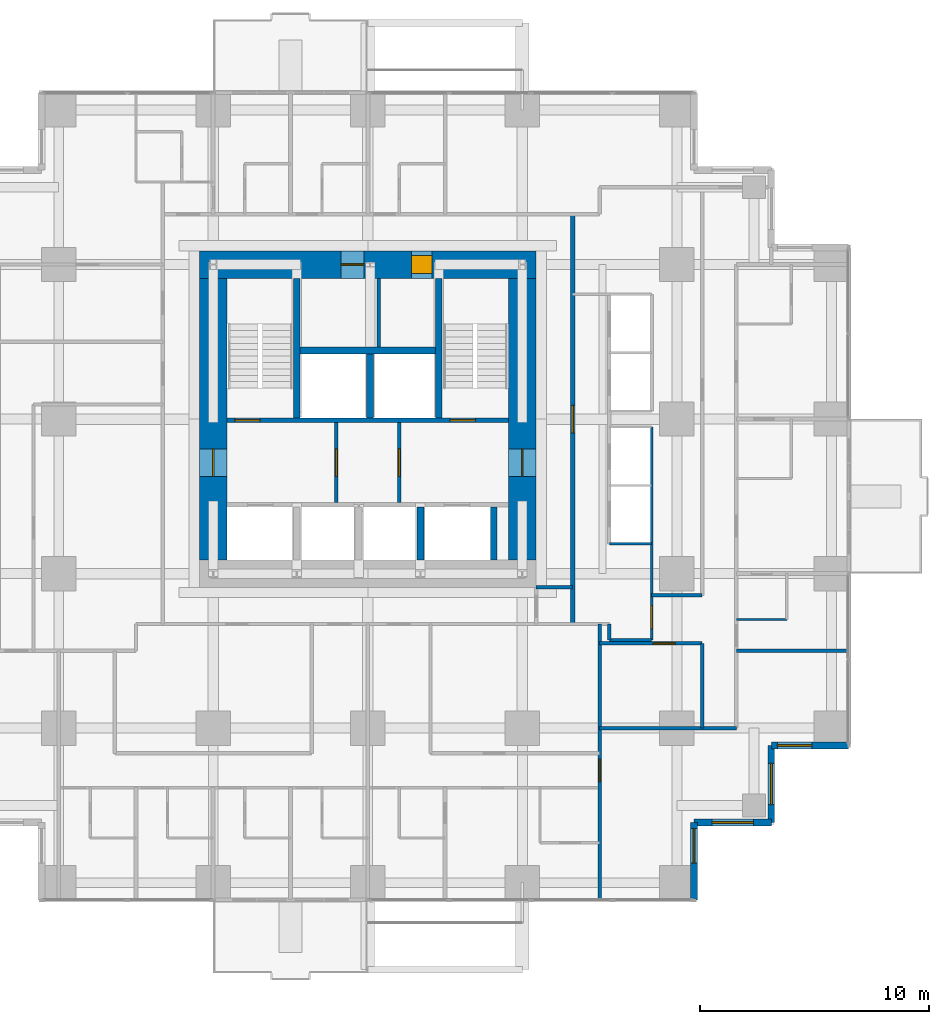
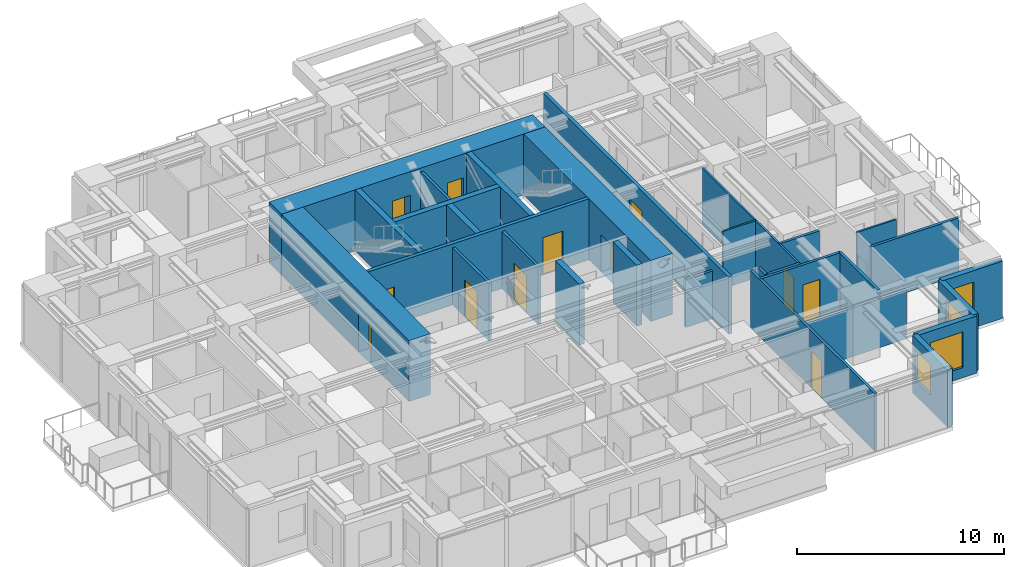
# One storey, part 9 of 13: 30 walls, 12 doors, 4 windows, 16 openings.
"""IFC4 building model written with IfcOpenShell, lengths in metres."""

import ifcopenshell
import ifcopenshell.guid

model = None  # the IFC model being written
_history = None  # IfcOwnerHistory: only IFC2X3 demands one
_inside = {}  # id of a spatial element -> (the spatial element, [elements in it])
_under = {}  # id of a project, library or spatial element -> (it, [spatial elements below it])
_declared = {}  # id of a project -> (the project, [libraries it declares])
_typed = {}  # id of a type object -> (the type object, [elements of that type])
_made_of = {}  # id of a material, layer set ... -> (it, [elements and type objects made of it])


def new_model(schema):
    """Start an empty IFC model of exactly this schema.

    Asked for "IFC4X3", IfcOpenShell would pick the latest addendum, in which some entities
    have other attributes; the version numbers below select the first issue.
    IFC2X3 requires an IfcOwnerHistory on every rooted entity: one is made here for all.
    """
    global model, _history
    if schema == "IFC4X3":
        model = ifcopenshell.file(schema_version=(4, 3, 0, 0))
    else:
        model = ifcopenshell.file(schema=schema)
    _inside.clear()
    _under.clear()
    _declared.clear()
    _typed.clear()
    _made_of.clear()
    _history = None
    if model.schema == "IFC2X3":
        org = make("IfcOrganization", Name="unknown")
        user = make(
            "IfcPersonAndOrganization",
            ThePerson=make("IfcPerson", FamilyName="unknown"),
            TheOrganization=org,
        )
        app = make(
            "IfcApplication",
            ApplicationDeveloper=org,
            Version="unknown",
            ApplicationFullName="unknown",
            ApplicationIdentifier="unknown",
        )
        _history = make(
            "IfcOwnerHistory",
            OwningUser=user,
            OwningApplication=app,
            ChangeAction="ADDED",
            CreationDate=0,
        )
    return model


def make(cls, **values):
    """One entity of the class cls with the attributes given. An attribute that is None is left unset."""
    return model.create_entity(
        cls, **{name: value for name, value in values.items() if value is not None}
    )


def rooted(cls, **values):
    """An entity with a GlobalId (a new one), such as an element, a storey or a relation."""
    return make(cls, GlobalId=ifcopenshell.guid.new(), OwnerHistory=_history, **values)


def si_unit(unit_type, name, prefix=None):
    """IfcSIUnit, for example si_unit("LENGTHUNIT", "METRE", prefix="MILLI")."""
    return make("IfcSIUnit", UnitType=unit_type, Prefix=prefix, Name=name)


def assignment(units):
    """IfcUnitAssignment: the units of a project."""
    return None if units is None else make("IfcUnitAssignment", Units=units)


def point(xyz):
    """IfcCartesianPoint."""
    return None if xyz is None else make("IfcCartesianPoint", Coordinates=xyz)


def direction(xyz):
    """IfcDirection."""
    return None if xyz is None else make("IfcDirection", DirectionRatios=xyz)


def frame(location, z_axis=None, x_axis=None):
    """IfcAxis2Placement3D, a coordinate frame: its origin and axes. An axis left out is left unset."""
    return make(
        "IfcAxis2Placement3D",
        Location=point(location),
        Axis=direction(z_axis),
        RefDirection=direction(x_axis),
    )


def frame_2d(location, x_axis=None):
    """IfcAxis2Placement2D, a coordinate frame in the plane: its origin and x axis."""
    return make(
        "IfcAxis2Placement2D", Location=point(location), RefDirection=direction(x_axis)
    )


def origin():
    """The frame at (0, 0, 0) with its axes left unset."""
    return frame((0.0, 0.0, 0.0))


def place(relative_to, where):
    """IfcLocalPlacement: puts the frame where relative to a parent placement (None: the world)."""
    return make(
        "IfcLocalPlacement", PlacementRelTo=relative_to, RelativePlacement=where
    )


def context(
    kind, dimensions, precision=None, world=None, true_north=None, identifier=None
):
    """IfcGeometricRepresentationContext, for example the 3D "Model" context."""
    return make(
        "IfcGeometricRepresentationContext",
        ContextIdentifier=identifier,
        ContextType=kind,
        CoordinateSpaceDimension=dimensions,
        Precision=precision,
        WorldCoordinateSystem=world,
        TrueNorth=true_north,
    )


def subcontext(parent, identifier, kind, view, scale=None):
    """IfcGeometricRepresentationSubContext, for example "Body" below "Model"."""
    return make(
        "IfcGeometricRepresentationSubContext",
        ContextIdentifier=identifier,
        ContextType=kind,
        ParentContext=parent,
        TargetScale=scale,
        TargetView=view,
    )


def project(units=None, contexts=None):
    """IfcProject with its units and contexts."""
    return rooted(
        "IfcProject",
        Name="project",
        RepresentationContexts=contexts,
        UnitsInContext=assignment(units),
    )


def spatial(cls, under=None, at=None, **own):
    """A site, building, storey or space (cls), placed at a placement, below another one or the project."""
    s = rooted(cls, ObjectPlacement=at, **own)
    if under is not None:
        _under.setdefault(under.id(), (under, []))[1].append(s)
    return s


def profile(cls, at=None, kind="AREA", **sizes):
    """A parametric profile (cls). Its sizes go by their IFC names, for example OverallWidth=200.0."""
    return make(cls, ProfileType=kind, Position=at, **sizes)


def rectangle(**sizes):
    """IfcRectangleProfileDef."""
    return profile("IfcRectangleProfileDef", **sizes)


def extrude(swept, where, along, depth):
    """IfcExtrudedAreaSolid: the profile swept, set in the frame where, extruded along a direction by depth."""
    return make(
        "IfcExtrudedAreaSolid",
        SweptArea=swept,
        Position=where,
        ExtrudedDirection=direction(along),
        Depth=depth,
    )


def shape(context_of_items, identifier, shape_type, items):
    """IfcShapeRepresentation: the items that make up one representation, for example the "Body"."""
    return make(
        "IfcShapeRepresentation",
        ContextOfItems=context_of_items,
        RepresentationIdentifier=identifier,
        RepresentationType=shape_type,
        Items=items,
    )


def material(Name=None, Category=None):
    """IfcMaterial."""
    return make("IfcMaterial", Name=Name, Category=Category)


def layer(
    of_material, thickness, ventilated=None, Name=None, Category=None, Priority=None
):
    """IfcMaterialLayer: one layer of a wall or slab, of a material (None: an air gap)."""
    return make(
        "IfcMaterialLayer",
        Material=of_material,
        LayerThickness=thickness,
        IsVentilated=ventilated,
        Name=Name,
        Category=Category,
        Priority=Priority,
    )


def layer_set(layers, Name=None):
    """IfcMaterialLayerSet."""
    return make("IfcMaterialLayerSet", MaterialLayers=layers, LayerSetName=Name)


def made_of(thing, what):
    """Note that an element or type object is made of a material, layer set ...; save() writes the relation."""
    if what is not None:
        _made_of.setdefault(what.id(), (what, []))[1].append(thing)
    return thing


def type_object(cls, material=None, **own):
    """A type object (cls), such as IfcWallType, which elements share."""
    return made_of(rooted(cls, **own), material)


def element(
    cls,
    number,
    at=None,
    inside=None,
    cuts=None,
    type_object=None,
    material=None,
    context=None,
    identifier="Body",
    shape_type=None,
    held_by="IfcProductDefinitionShape",
    body=None,
    shapes=None,
    **own,
):
    """One element of the class cls, such as IfcWall. Its Tag is "e" and its number.

    at: its placement. inside: the storey or other place that contains it. cuts: it is an
    opening in that element (IfcRelVoidsElement). A single representation is given by context,
    identifier, shape_type and body (its items); several are given by shapes. held_by: the class
    of the entity that holds the representations. save() writes the other relations.
    """
    e = rooted(cls, Tag="e%d" % number, ObjectPlacement=at, **own)
    if body is not None:
        shapes = [shape(context, identifier, shape_type, body)]
    if shapes is not None:
        e.Representation = make(held_by, Representations=shapes)
    if inside is not None:
        _inside.setdefault(inside.id(), (inside, []))[1].append(e)
    if cuts is not None:
        rooted(
            "IfcRelVoidsElement", RelatingBuildingElement=cuts, RelatedOpeningElement=e
        )
    if type_object is not None:
        _typed.setdefault(type_object.id(), (type_object, []))[1].append(e)
    return made_of(e, material)


def fill(opening, filler):
    """IfcRelFillsElement: the door or window that sits in an opening."""
    return rooted(
        "IfcRelFillsElement",
        RelatingOpeningElement=opening,
        RelatedBuildingElement=filler,
    )


def aggregate(whole, parts):
    """IfcRelAggregates: a whole, such as a stair, and the parts it consists of."""
    return rooted("IfcRelAggregates", RelatingObject=whole, RelatedObjects=parts)


def save(model, path):
    """Write the relations noted so far, then the file.

    IfcRelAggregates (storeys below a building ...), IfcRelContainedInSpatialStructure (elements
    in a storey), IfcRelDefinesByType, IfcRelAssociatesMaterial and IfcRelDeclares: one each for
    every whole, place, type object, material and project.
    """
    for whole, parts in _under.values():
        aggregate(whole, parts)
    for where, things in _inside.values():
        rooted(
            "IfcRelContainedInSpatialStructure",
            RelatedElements=things,
            RelatingStructure=where,
        )
    for kind, things in _typed.values():
        rooted("IfcRelDefinesByType", RelatedObjects=things, RelatingType=kind)
    for what, things in _made_of.values():
        rooted("IfcRelAssociatesMaterial", RelatedObjects=things, RelatingMaterial=what)
    for by, libraries in _declared.values():
        rooted("IfcRelDeclares", RelatingContext=by, RelatedDefinitions=libraries)
    model.write(path)


model = new_model("IFC4")

# Units and contexts
model_context = context("Model", 3, precision=1e-05, world=origin(), true_north=direction((0.0, 1.0)))
body_context = subcontext(model_context, "Body", "Model", "MODEL_VIEW")
ifc_project = project(units=[si_unit("LENGTHUNIT", "METRE"), si_unit("AREAUNIT", "SQUARE_METRE"), si_unit("VOLUMEUNIT", "CUBIC_METRE"), si_unit("PLANEANGLEUNIT", "RADIAN"), si_unit("MASSUNIT", "GRAM", prefix="KILO")], contexts=[model_context])

# Site, building, storey
site_placement = place(None, origin())
site = spatial("IfcSite", under=ifc_project, at=site_placement, CompositionType="ELEMENT")
building_placement = place(site_placement, origin())
building = spatial("IfcBuilding", under=site, at=building_placement, Name="Nyansa Garden Tower", CompositionType="ELEMENT")
storey_placement = place(building_placement, frame((0.0, 0.0, 116.10009765625)))
storey = spatial("IfcBuildingStorey", under=building, at=storey_placement, Name="L31", CompositionType="ELEMENT", Elevation=116.10009765625)

# Wall, openings, doors
ifc_material_1 = material(Name="Concrete C70/85", Category="concrete")
ifc_layer_1 = layer(ifc_material_1, 0.199951171875)
ifc_layer_set_1 = layer_set([ifc_layer_1], Name="Core inner wall CI200")
wall_type_1 = type_object("IfcWallType", Name="Core inner wall CI200", PredefinedType="SHEAR", material=ifc_layer_set_1)
wall_1_placement = place(storey_placement, frame((14.10009765625, 20.199951171875, 0.0), z_axis=(0.0, 0.0, 1.0), x_axis=(1.0, 0.0, 0.0)))
wall_1 = element("IfcWall", 1, at=wall_1_placement, inside=storey, type_object=wall_type_1, Name="Core inner wall L31", PredefinedType="SHEAR", context=body_context, shape_type="SweptSolid", body=[
    extrude(rectangle(XDim=12.2998046875, YDim=0.199951171875, at=frame_2d((6.14990234375, 0.0))), origin(), (0.0, 0.0, 1.0), 3.599853515625),
])
opening_1_placement = place(wall_1_placement, frame((0.35009765625, 0.0, 0.0)))
opening_1 = element("IfcOpeningElement", 2, at=opening_1_placement, cuts=wall_1, Name="Opening D05", PredefinedType="OPENING", context=body_context, shape_type="SweptSolid", body=[
    extrude(rectangle(XDim=1.10009765625, YDim=2.199951171875, at=frame_2d((0.550048828125, 1.10009765625))), frame((0.0, 0.10986328125, 0.0), z_axis=(0.0, -1.0, 0.0), x_axis=(1.0, 0.0, 0.0)), (0.0, 0.0, 1.0), 0.219970703125),
])
opening_2_placement = place(wall_1_placement, frame((9.75, 0.0, 0.0)))
opening_2 = element("IfcOpeningElement", 3, at=opening_2_placement, cuts=wall_1, Name="Opening D05", PredefinedType="OPENING", context=body_context, shape_type="SweptSolid", body=[
    extrude(rectangle(XDim=1.10009765625, YDim=2.199951171875, at=frame_2d((0.550048828125, 1.10009765625))), frame((0.0, 0.10986328125, 0.0), z_axis=(0.0, -1.0, 0.0), x_axis=(1.0, 0.0, 0.0)), (0.0, 0.0, 1.0), 0.219970703125),
])
ifc_material_2 = material(Name="Steel door, 120 minute fire resisting", Category="steel")
door_type_1 = type_object("IfcDoorType", Name="Stair door D05 1100x2200", OperationType="SINGLE_SWING_LEFT", PredefinedType="DOOR", material=ifc_material_2)
door_1_placement = place(opening_1_placement, origin())
door_1 = element("IfcDoor", 4, at=door_1_placement, inside=storey, type_object=door_type_1, Name="Stair S1 door", OperationType="SINGLE_SWING_LEFT", OverallHeight=2.199951171875, OverallWidth=1.10009765625, PredefinedType="DOOR", context=body_context, shape_type="SweptSolid", body=[
    extrude(rectangle(XDim=1.10009765625, YDim=2.199951171875, at=frame_2d((0.550048828125, 1.10009765625))), frame((0.0, 0.02490234375, 0.0), z_axis=(0.0, -1.0, 0.0), x_axis=(1.0, 0.0, 0.0)), (0.0, 0.0, 1.0), 0.050048828125),
])
fill(opening_1, door_1)
door_2_placement = place(opening_2_placement, origin())
door_2 = element("IfcDoor", 5, at=door_2_placement, inside=storey, type_object=door_type_1, Name="Stair S2 door", OperationType="SINGLE_SWING_LEFT", OverallHeight=2.199951171875, OverallWidth=1.10009765625, PredefinedType="DOOR", context=body_context, shape_type="SweptSolid", body=[
    extrude(rectangle(XDim=1.10009765625, YDim=2.199951171875, at=frame_2d((0.550048828125, 1.10009765625))), frame((0.0, 0.02490234375, 0.0), z_axis=(0.0, -1.0, 0.0), x_axis=(1.0, 0.0, 0.0)), (0.0, 0.0, 1.0), 0.050048828125),
])
fill(opening_2, door_2)

# Walls
ifc_material_3 = material(Name="Concrete C70/85", Category="concrete")
ifc_layer_2 = layer(ifc_material_3, 0.300048828125)
ifc_layer_set_2 = layer_set([ifc_layer_2], Name="Core inner wall CI300")
wall_type_2 = type_object("IfcWallType", Name="Core inner wall CI300", PredefinedType="SHEAR", material=ifc_layer_set_2)
for number, where, z_axis, x_axis, name in (
    (6, (17.14990234375, 20.300048828125, 0.0), (0.0, 0.0, 1.0), (0.0, 1.0, 0.0), "Core inner wall L31"),
    (7, (23.35009765625, 20.300048828125, 0.0), (0.0, 0.0, 1.0), (0.0, 1.0, 0.0), "Core inner wall L31"),
):
    element("IfcWall", number, at=place(storey_placement, frame(where, z_axis=z_axis, x_axis=x_axis)), inside=storey, type_object=wall_type_2, Name=name, PredefinedType="SHEAR", context=body_context, shape_type="SweptSolid", body=[
        extrude(rectangle(XDim=6.099853515625, YDim=0.300048828125, at=frame_2d((3.0498046875, 0.0))), origin(), (0.0, 0.0, 1.0), 3.599853515625),
    ])
wall_2_placement = place(storey_placement, frame((20.35009765625, 20.300048828125, 0.0), z_axis=(0.0, 0.0, 1.0), x_axis=(0.0, 1.0, 0.0)))
element("IfcWall", 8, at=wall_2_placement, inside=storey, type_object=wall_type_2, Name="Core inner wall L31", PredefinedType="SHEAR", context=body_context, shape_type="SweptSolid", body=[
    extrude(rectangle(XDim=2.800048828125, YDim=0.300048828125, at=frame_2d((1.39990234375, 0.0))), origin(), (0.0, 0.0, 1.0), 3.599853515625),
])
wall_3_placement = place(storey_placement, frame((17.300048828125, 23.25, 0.0), z_axis=(0.0, 0.0, 1.0), x_axis=(1.0, 0.0, 0.0)))
element("IfcWall", 9, at=wall_3_placement, inside=storey, type_object=wall_type_2, Name="Core inner wall L31", PredefinedType="SHEAR", context=body_context, shape_type="SweptSolid", body=[
    extrude(rectangle(XDim=5.89990234375, YDim=0.300048828125, at=frame_2d((2.949951171875, 0.0))), origin(), (0.0, 0.0, 1.0), 3.599853515625),
])
for number, where, z_axis, x_axis, name in (
    (10, (22.550048828125, 14.10009765625, 0.0), (0.0, 0.0, 1.0), (0.0, 1.0, 0.0), "Core inner wall L31"),
    (11, (25.75, 14.10009765625, 0.0), (0.0, 0.0, 1.0), (0.0, 1.0, 0.0), "Core inner wall L31"),
):
    element("IfcWall", number, at=place(storey_placement, frame(where, z_axis=z_axis, x_axis=x_axis)), inside=storey, type_object=wall_type_2, Name=name, PredefinedType="SHEAR", context=body_context, shape_type="SweptSolid", body=[
        extrude(rectangle(XDim=2.2998046875, YDim=0.300048828125, at=frame_2d((1.14990234375, 0.0))), origin(), (0.0, 0.0, 1.0), 3.599853515625),
    ])

# Wall, opening, door
ifc_material_4 = material(Name="Concrete C80/95", Category="concrete")
ifc_layer_3 = layer(ifc_material_4, 1.199951171875)
ifc_layer_set_3 = layer_set([ifc_layer_3], Name="Core wall CW1200")
wall_type_3 = type_object("IfcWallType", Name="Core wall CW1200", PredefinedType="SHEAR", material=ifc_layer_set_3)
wall_4_placement = place(storey_placement, frame((27.0, 14.10009765625, 0.0), z_axis=(0.0, 0.0, 1.0), x_axis=(0.0, 1.0, 0.0)))
wall_4 = element("IfcWall", 12, at=wall_4_placement, inside=storey, type_object=wall_type_3, Name="Core wall E L31", PredefinedType="SHEAR", context=body_context, shape_type="SweptSolid", body=[
    extrude(rectangle(XDim=12.2998046875, YDim=1.199951171875, at=frame_2d((6.14990234375, 0.0))), origin(), (0.0, 0.0, 1.0), 3.599853515625),
])
opening_3_placement = place(wall_4_placement, frame((3.64990234375, 0.0, 0.0)))
opening_3 = element("IfcOpeningElement", 13, at=opening_3_placement, cuts=wall_4, Name="Opening D06", PredefinedType="OPENING", context=body_context, shape_type="SweptSolid", body=[
    extrude(rectangle(XDim=1.199951171875, YDim=2.199951171875, at=frame_2d((0.60009765625, 1.10009765625))), frame((0.0, 0.60986328125, 0.0), z_axis=(0.0, -1.0, 0.0), x_axis=(1.0, 0.0, 0.0)), (0.0, 0.0, 1.0), 1.219970703125),
])
ifc_material_5 = material(Name="Steel door, 120 minute fire resisting", Category="steel")
door_type_2 = type_object("IfcDoorType", Name="Lobby door D06 1200x2200", OperationType="DOUBLE_DOOR_SINGLE_SWING", PredefinedType="DOOR", material=ifc_material_5)
door_3_placement = place(opening_3_placement, origin())
door_3 = element("IfcDoor", 14, at=door_3_placement, inside=storey, type_object=door_type_2, Name="Lift lobby door east", OperationType="DOUBLE_DOOR_SINGLE_SWING", OverallHeight=2.199951171875, OverallWidth=1.199951171875, PredefinedType="DOOR", context=body_context, shape_type="SweptSolid", body=[
    extrude(rectangle(XDim=1.199951171875, YDim=2.199951171875, at=frame_2d((0.60009765625, 1.10009765625))), frame((0.0, 0.02490234375, 0.0), z_axis=(0.0, -1.0, 0.0), x_axis=(1.0, 0.0, 0.0)), (0.0, 0.0, 1.0), 0.050048828125),
])
fill(opening_3, door_3)

# Wall, openings, doors
wall_5_placement = place(storey_placement, frame((27.60009765625, 27.0, 0.0), z_axis=(0.0, 0.0, 1.0), x_axis=(-1.0, 0.0, 0.0)))
wall_5 = element("IfcWall", 15, at=wall_5_placement, inside=storey, type_object=wall_type_3, Name="Core wall N L31", PredefinedType="SHEAR", context=body_context, shape_type="SweptSolid", body=[
    extrude(rectangle(XDim=14.7001953125, YDim=1.199951171875, at=frame_2d((7.35009765625, 0.0))), origin(), (0.0, 0.0, 1.0), 3.599853515625),
])
opening_4_placement = place(wall_5_placement, frame((4.550048828125, 0.0, 0.0)))
opening_4 = element("IfcOpeningElement", 16, at=opening_4_placement, cuts=wall_5, Name="Opening D15", PredefinedType="OPENING", context=body_context, shape_type="SweptSolid", body=[
    extrude(rectangle(XDim=0.89990234375, YDim=2.199951171875, at=frame_2d((0.449951171875, 1.10009765625))), frame((0.0, 0.60986328125, 0.0), z_axis=(0.0, -1.0, 0.0), x_axis=(1.0, 0.0, 0.0)), (0.0, 0.0, 1.0), 1.219970703125),
])
opening_5_placement = place(wall_5_placement, frame((7.52490234375, 0.0, 0.0)))
opening_5 = element("IfcOpeningElement", 17, at=opening_5_placement, cuts=wall_5, Name="Opening D07", PredefinedType="OPENING", context=body_context, shape_type="SweptSolid", body=[
    extrude(rectangle(XDim=1.0, YDim=2.199951171875, at=frame_2d((0.5, 1.10009765625))), frame((0.0, 0.60986328125, 0.0), z_axis=(0.0, -1.0, 0.0), x_axis=(1.0, 0.0, 0.0)), (0.0, 0.0, 1.0), 1.219970703125),
])
ifc_material_6 = material(Name="Timber flush door, 60 minute fire resisting, self-closing", Category="wood")
door_type_3 = type_object("IfcDoorType", Name="Core room door D15 900x2200", OperationType="SINGLE_SWING_LEFT", PredefinedType="DOOR", material=ifc_material_6)
door_4_placement = place(opening_4_placement, origin())
door_4 = element("IfcDoor", 18, at=door_4_placement, inside=storey, type_object=door_type_3, Name="Core room door", OperationType="SINGLE_SWING_LEFT", OverallHeight=2.199951171875, OverallWidth=0.89990234375, PredefinedType="DOOR", context=body_context, shape_type="SweptSolid", body=[
    extrude(rectangle(XDim=0.89990234375, YDim=2.199951171875, at=frame_2d((0.449951171875, 1.10009765625))), frame((0.0, 0.39990234375, 0.0), z_axis=(0.0, -1.0, 0.0), x_axis=(1.0, 0.0, 0.0)), (0.0, 0.0, 1.0), 0.800048828125),
])
fill(opening_4, door_4)
ifc_material_7 = material(Name="Steel door, 120 minute fire resisting", Category="steel")
door_type_4 = type_object("IfcDoorType", Name="Riser door D07 1000x2200", OperationType="SINGLE_SWING_LEFT", PredefinedType="DOOR", material=ifc_material_7)
door_5_placement = place(opening_5_placement, origin())
door_5 = element("IfcDoor", 19, at=door_5_placement, inside=storey, type_object=door_type_4, Name="Riser and refuse room door", OperationType="SINGLE_SWING_LEFT", OverallHeight=2.199951171875, OverallWidth=1.0, PredefinedType="DOOR", context=body_context, shape_type="SweptSolid", body=[
    extrude(rectangle(XDim=1.0, YDim=2.199951171875, at=frame_2d((0.5, 1.10009765625))), frame((0.0, 0.02490234375, 0.0), z_axis=(0.0, -1.0, 0.0), x_axis=(1.0, 0.0, 0.0)), (0.0, 0.0, 1.0), 0.050048828125),
])
fill(opening_5, door_5)

# Wall, opening, door
wall_6_placement = place(storey_placement, frame((13.5, 26.39990234375, 0.0), z_axis=(0.0, 0.0, 1.0), x_axis=(0.0, -1.0, 0.0)))
wall_6 = element("IfcWall", 20, at=wall_6_placement, inside=storey, type_object=wall_type_3, Name="Core wall W L31", PredefinedType="SHEAR", context=body_context, shape_type="SweptSolid", body=[
    extrude(rectangle(XDim=12.2998046875, YDim=1.199951171875, at=frame_2d((6.14990234375, 0.0))), origin(), (0.0, 0.0, 1.0), 3.599853515625),
])
opening_6_placement = place(wall_6_placement, frame((7.449951171875, 0.0, 0.0)))
opening_6 = element("IfcOpeningElement", 21, at=opening_6_placement, cuts=wall_6, Name="Opening D06", PredefinedType="OPENING", context=body_context, shape_type="SweptSolid", body=[
    extrude(rectangle(XDim=1.199951171875, YDim=2.199951171875, at=frame_2d((0.60009765625, 1.10009765625))), frame((0.0, 0.60986328125, 0.0), z_axis=(0.0, -1.0, 0.0), x_axis=(1.0, 0.0, 0.0)), (0.0, 0.0, 1.0), 1.219970703125),
])
door_6_placement = place(opening_6_placement, origin())
door_6 = element("IfcDoor", 22, at=door_6_placement, inside=storey, type_object=door_type_2, Name="Lift lobby door west", OperationType="DOUBLE_DOOR_SINGLE_SWING", OverallHeight=2.199951171875, OverallWidth=1.199951171875, PredefinedType="DOOR", context=body_context, shape_type="SweptSolid", body=[
    extrude(rectangle(XDim=1.199951171875, YDim=2.199951171875, at=frame_2d((0.60009765625, 1.10009765625))), frame((0.0, 0.02490234375, 0.0), z_axis=(0.0, -1.0, 0.0), x_axis=(1.0, 0.0, 0.0)), (0.0, 0.0, 1.0), 0.050048828125),
])
fill(opening_6, door_6)

ifc_material_8 = material(Name="Concrete blockwork, plastered, 60 minute fire resisting", Category="masonry")
ifc_layer_4 = layer(ifc_material_8, 0.199951171875)
ifc_layer_set_4 = layer_set([ifc_layer_4], Name="Corridor wall FW200")
wall_type_4 = type_object("IfcWallType", Name="Corridor wall FW200", PredefinedType="PARTITIONING", material=ifc_layer_set_4)
wall_7_placement = place(storey_placement, frame((29.199951171875, 11.300048828125, 0.0), z_axis=(0.0, 0.0, 1.0), x_axis=(0.0, 1.0, 0.0)))
wall_7 = element("IfcWall", 23, at=wall_7_placement, inside=storey, type_object=wall_type_4, Name="Corridor wall", PredefinedType="PARTITIONING", context=body_context, shape_type="SweptSolid", body=[
    extrude(rectangle(XDim=17.89990234375, YDim=0.199951171875, at=frame_2d((8.949951171875, 0.0))), origin(), (0.0, 0.0, 1.0), 3.375),
])
opening_7_placement = place(wall_7_placement, frame((8.35009765625, 0.0, 0.0)))
opening_7 = element("IfcOpeningElement", 24, at=opening_7_placement, cuts=wall_7, Name="Opening D06", PredefinedType="OPENING", context=body_context, shape_type="SweptSolid", body=[
    extrude(rectangle(XDim=1.199951171875, YDim=2.199951171875, at=frame_2d((0.60009765625, 1.10009765625))), frame((0.0, 0.10986328125, 0.0), z_axis=(0.0, -1.0, 0.0), x_axis=(1.0, 0.0, 0.0)), (0.0, 0.0, 1.0), 0.219970703125),
])
door_7_placement = place(opening_7_placement, origin())
door_7 = element("IfcDoor", 25, at=door_7_placement, inside=storey, type_object=door_type_2, Name="Low-rise lift lobby door", OperationType="DOUBLE_DOOR_SINGLE_SWING", OverallHeight=2.199951171875, OverallWidth=1.199951171875, PredefinedType="DOOR", context=body_context, shape_type="SweptSolid", body=[
    extrude(rectangle(XDim=1.199951171875, YDim=2.199951171875, at=frame_2d((0.60009765625, 1.10009765625))), frame((0.0, 0.02490234375, 0.0), z_axis=(0.0, -1.0, 0.0), x_axis=(1.0, 0.0, 0.0)), (0.0, 0.0, 1.0), 0.050048828125),
])
fill(opening_7, door_7)

# Wall
ifc_material_9 = material(Name="Steel-stud shaft wall, two layers fire-rated board, EI 120", Category="steel")
ifc_layer_5 = layer(ifc_material_9, 0.10009765625)
ifc_layer_set_5 = layer_set([ifc_layer_5], Name="Lift shaft wall SW100")
wall_type_5 = type_object("IfcWallType", Name="Lift shaft wall SW100", PredefinedType="SHEAR", material=ifc_layer_set_5)
wall_8_placement = place(storey_placement, frame((30.800048828125, 14.800048828125, 0.0), z_axis=(0.0, 0.0, 1.0), x_axis=(1.0, 0.0, 0.0)))
element("IfcWall", 26, at=wall_8_placement, inside=storey, type_object=wall_type_5, Name="Lift shaft wall", PredefinedType="SHEAR", context=body_context, shape_type="SweptSolid", body=[
    extrude(rectangle(XDim=1.849853515625, YDim=0.10009765625, at=frame_2d((0.9248046875, 0.0))), origin(), (0.0, 0.0, 1.0), 3.375),
])

# Wall, opening, door
wall_9_placement = place(storey_placement, frame((32.64990234375, 10.60009765625, 0.0), z_axis=(0.0, 0.0, 1.0), x_axis=(0.0, 1.0, 0.0)))
wall_9 = element("IfcWall", 27, at=wall_9_placement, inside=storey, type_object=wall_type_5, Name="Lift shaft wall", PredefinedType="SHEAR", context=body_context, shape_type="SweptSolid", body=[
    extrude(rectangle(XDim=9.2998046875, YDim=0.10009765625, at=frame_2d((4.64990234375, 0.0))), origin(), (0.0, 0.0, 1.0), 3.375),
])
opening_8_placement = place(wall_9_placement, frame((0.5, 0.0, 0.0)))
opening_8 = element("IfcOpeningElement", 28, at=opening_8_placement, cuts=wall_9, Name="Opening D03", PredefinedType="OPENING", context=body_context, shape_type="SweptSolid", body=[
    extrude(rectangle(XDim=1.0, YDim=2.199951171875, at=frame_2d((0.5, 1.10009765625))), frame((0.0, 0.06005859375, 0.0), z_axis=(0.0, -1.0, 0.0), x_axis=(1.0, 0.0, 0.0)), (0.0, 0.0, 1.0), 0.1201171875),
])
ifc_material_10 = material(Name="Timber flush door, 60 minute fire resisting", Category="wood")
door_type_5 = type_object("IfcDoorType", Name="Cluster entrance door D03 1000x2200", OperationType="SINGLE_SWING_LEFT", PredefinedType="DOOR", material=ifc_material_10)
door_8_placement = place(opening_8_placement, origin())
door_8 = element("IfcDoor", 29, at=door_8_placement, inside=storey, type_object=door_type_5, Name="Door L31-041", OperationType="SINGLE_SWING_LEFT", OverallHeight=2.199951171875, OverallWidth=1.0, PredefinedType="DOOR", context=body_context, shape_type="SweptSolid", body=[
    extrude(rectangle(XDim=1.0, YDim=2.199951171875, at=frame_2d((0.5, 1.10009765625))), frame((0.0, 0.02490234375, 0.0), z_axis=(0.0, -1.0, 0.0), x_axis=(1.0, 0.0, 0.0)), (0.0, 0.0, 1.0), 0.050048828125),
])
fill(opening_8, door_8)

ifc_material_11 = material(Name="Blockwork, plastered both sides", Category="masonry")
ifc_layer_6 = layer(ifc_material_11, 0.14990234375)
ifc_layer_set_6 = layer_set([ifc_layer_6], Name="Partition PW150")
wall_type_6 = type_object("IfcWallType", Name="Partition PW150", PredefinedType="PARTITIONING", material=ifc_layer_set_6)
wall_10_placement = place(storey_placement, frame((18.875, 16.60009765625, 0.0), z_axis=(0.0, 0.0, 1.0), x_axis=(0.0, 1.0, 0.0)))
wall_10 = element("IfcWall", 30, at=wall_10_placement, inside=storey, type_object=wall_type_6, Name="Partition", PredefinedType="PARTITIONING", context=body_context, shape_type="SweptSolid", body=[
    extrude(rectangle(XDim=3.5, YDim=0.14990234375, at=frame_2d((1.75, 0.0))), origin(), (0.0, 0.0, 1.0), 3.375),
])
opening_9_placement = place(wall_10_placement, frame((1.14990234375, 0.0, 0.0)))
opening_9 = element("IfcOpeningElement", 31, at=opening_9_placement, cuts=wall_10, Name="Opening D06", PredefinedType="OPENING", context=body_context, shape_type="SweptSolid", body=[
    extrude(rectangle(XDim=1.199951171875, YDim=2.199951171875, at=frame_2d((0.60009765625, 1.10009765625))), frame((0.0, 0.0849609375, 0.0), z_axis=(0.0, -1.0, 0.0), x_axis=(1.0, 0.0, 0.0)), (0.0, 0.0, 1.0), 0.169921875),
])
door_9_placement = place(opening_9_placement, origin())
door_9 = element("IfcDoor", 32, at=door_9_placement, inside=storey, type_object=door_type_2, Name="Passenger lift lobby door", OperationType="DOUBLE_DOOR_SINGLE_SWING", OverallHeight=2.199951171875, OverallWidth=1.199951171875, PredefinedType="DOOR", context=body_context, shape_type="SweptSolid", body=[
    extrude(rectangle(XDim=1.199951171875, YDim=2.199951171875, at=frame_2d((0.60009765625, 1.10009765625))), frame((0.0, 0.02490234375, 0.0), z_axis=(0.0, -1.0, 0.0), x_axis=(1.0, 0.0, 0.0)), (0.0, 0.0, 1.0), 0.050048828125),
])
fill(opening_9, door_9)

wall_11_placement = place(storey_placement, frame((21.625, 16.60009765625, 0.0), z_axis=(0.0, 0.0, 1.0), x_axis=(0.0, 1.0, 0.0)))
wall_11 = element("IfcWall", 33, at=wall_11_placement, inside=storey, type_object=wall_type_6, Name="Partition", PredefinedType="PARTITIONING", context=body_context, shape_type="SweptSolid", body=[
    extrude(rectangle(XDim=3.5, YDim=0.14990234375, at=frame_2d((1.75, 0.0))), origin(), (0.0, 0.0, 1.0), 3.375),
])
opening_10_placement = place(wall_11_placement, frame((1.14990234375, 0.0, 0.0)))
opening_10 = element("IfcOpeningElement", 34, at=opening_10_placement, cuts=wall_11, Name="Opening D06", PredefinedType="OPENING", context=body_context, shape_type="SweptSolid", body=[
    extrude(rectangle(XDim=1.199951171875, YDim=2.199951171875, at=frame_2d((0.60009765625, 1.10009765625))), frame((0.0, 0.0849609375, 0.0), z_axis=(0.0, -1.0, 0.0), x_axis=(1.0, 0.0, 0.0)), (0.0, 0.0, 1.0), 0.169921875),
])
door_10_placement = place(opening_10_placement, origin())
door_10 = element("IfcDoor", 35, at=door_10_placement, inside=storey, type_object=door_type_2, Name="Passenger lift lobby door", OperationType="DOUBLE_DOOR_SINGLE_SWING", OverallHeight=2.199951171875, OverallWidth=1.199951171875, PredefinedType="DOOR", context=body_context, shape_type="SweptSolid", body=[
    extrude(rectangle(XDim=1.199951171875, YDim=2.199951171875, at=frame_2d((0.60009765625, 1.10009765625))), frame((0.0, 0.02490234375, 0.0), z_axis=(0.0, -1.0, 0.0), x_axis=(1.0, 0.0, 0.0)), (0.0, 0.0, 1.0), 0.050048828125),
])
fill(opening_10, door_10)

# Walls
wall_12_placement = place(storey_placement, frame((20.72509765625, 23.39990234375, 0.0), z_axis=(0.0, 0.0, 1.0), x_axis=(0.0, 1.0, 0.0)))
element("IfcWall", 36, at=wall_12_placement, inside=storey, type_object=wall_type_6, Name="Partition", PredefinedType="PARTITIONING", context=body_context, shape_type="SweptSolid", body=[
    extrude(rectangle(XDim=3.0, YDim=0.14990234375, at=frame_2d((1.5, 0.0))), origin(), (0.0, 0.0, 1.0), 3.375),
])
wall_13_placement = place(storey_placement, frame((27.60009765625, 12.89990234375, 0.0), z_axis=(0.0, 0.0, 1.0), x_axis=(1.0, 0.0, 0.0)))
element("IfcWall", 37, at=wall_13_placement, inside=storey, type_object=wall_type_6, Name="Partition", PredefinedType="PARTITIONING", context=body_context, shape_type="SweptSolid", body=[
    extrude(rectangle(XDim=1.599853515625, YDim=0.14990234375, at=frame_2d((0.7998046875, 0.0))), origin(), (0.0, 0.0, 1.0), 2.805908203125),
])

# Wall, opening, door
wall_14_placement = place(storey_placement, frame((30.375, -0.73388671875, 0.0), z_axis=(0.0, 0.0, 1.0), x_axis=(0.0, 1.0, 0.0)))
wall_14 = element("IfcWall", 38, at=wall_14_placement, inside=storey, type_object=wall_type_6, Name="Partition", PredefinedType="PARTITIONING", context=body_context, shape_type="SweptSolid", body=[
    extrude(rectangle(XDim=12.033935546875, YDim=0.14990234375, at=frame_2d((6.01708984375, 0.0))), origin(), (0.0, 0.0, 1.0), 3.375),
])
opening_11_placement = place(wall_14_placement, frame((5.134033203125, 0.0, 0.0)))
opening_11 = element("IfcOpeningElement", 39, at=opening_11_placement, cuts=wall_14, Name="Opening D03", PredefinedType="OPENING", context=body_context, shape_type="SweptSolid", body=[
    extrude(rectangle(XDim=1.0, YDim=2.199951171875, at=frame_2d((0.5, 1.10009765625))), frame((0.0, 0.0849609375, 0.0), z_axis=(0.0, -1.0, 0.0), x_axis=(1.0, 0.0, 0.0)), (0.0, 0.0, 1.0), 0.169921875),
])
door_11_placement = place(opening_11_placement, origin())
door_11 = element("IfcDoor", 40, at=door_11_placement, inside=storey, type_object=door_type_5, Name="Door L31-034", OperationType="SINGLE_SWING_LEFT", OverallHeight=2.199951171875, OverallWidth=1.0, PredefinedType="DOOR", context=body_context, shape_type="SweptSolid", body=[
    extrude(rectangle(XDim=1.0, YDim=2.199951171875, at=frame_2d((0.5, 1.10009765625))), frame((0.0, 0.02490234375, 0.0), z_axis=(0.0, -1.0, 0.0), x_axis=(1.0, 0.0, 0.0)), (0.0, 0.0, 1.0), 0.050048828125),
])
fill(opening_11, door_11)

# Wall
wall_15_placement = place(storey_placement, frame((30.375, 6.75, 0.0), z_axis=(0.0, 0.0, 1.0), x_axis=(1.0, 0.0, 0.0)))
element("IfcWall", 41, at=wall_15_placement, inside=storey, type_object=wall_type_6, Name="Partition", PredefinedType="PARTITIONING", context=body_context, shape_type="SweptSolid", body=[
    extrude(rectangle(XDim=5.97509765625, YDim=0.14990234375, at=frame_2d((2.987548828125, 0.0))), origin(), (0.0, 0.0, 1.0), 2.876953125),
])

# Wall, opening, door
wall_16_placement = place(storey_placement, frame((30.375, 10.449951171875, 0.0), z_axis=(0.0, 0.0, 1.0), x_axis=(1.0, 0.0, 0.0)))
wall_16 = element("IfcWall", 42, at=wall_16_placement, inside=storey, type_object=wall_type_6, Name="Partition", PredefinedType="PARTITIONING", context=body_context, shape_type="SweptSolid", body=[
    extrude(rectangle(XDim=4.47509765625, YDim=0.14990234375, at=frame_2d((2.237548828125, 0.0))), origin(), (0.0, 0.0, 1.0), 3.375),
])
opening_12_placement = place(wall_16_placement, frame((2.35009765625, 0.0, 0.0)))
opening_12 = element("IfcOpeningElement", 43, at=opening_12_placement, cuts=wall_16, Name="Opening D01", PredefinedType="OPENING", context=body_context, shape_type="SweptSolid", body=[
    extrude(rectangle(XDim=0.949951171875, YDim=2.199951171875, at=frame_2d((0.47509765625, 1.10009765625))), frame((0.0, 0.0849609375, 0.0), z_axis=(0.0, -1.0, 0.0), x_axis=(1.0, 0.0, 0.0)), (0.0, 0.0, 1.0), 0.169921875),
])
ifc_material_12 = material(Name="Timber flush door, 30 minute fire resisting", Category="wood")
door_type_6 = type_object("IfcDoorType", Name="Bedroom door D01 950x2200", OperationType="SINGLE_SWING_LEFT", PredefinedType="DOOR", material=ifc_material_12)
door_12_placement = place(opening_12_placement, origin())
door_12 = element("IfcDoor", 44, at=door_12_placement, inside=storey, type_object=door_type_6, Name="Door L31-043", OperationType="SINGLE_SWING_LEFT", OverallHeight=2.199951171875, OverallWidth=0.949951171875, PredefinedType="DOOR", context=body_context, shape_type="SweptSolid", body=[
    extrude(rectangle(XDim=0.949951171875, YDim=2.199951171875, at=frame_2d((0.47509765625, 1.10009765625))), frame((0.0, 0.02490234375, 0.0), z_axis=(0.0, -1.0, 0.0), x_axis=(1.0, 0.0, 0.0)), (0.0, 0.0, 1.0), 0.050048828125),
])
fill(opening_12, door_12)

# Walls
wall_17_placement = place(storey_placement, frame((30.800048828125, 10.60009765625, 0.0), z_axis=(0.0, 0.0, 1.0), x_axis=(0.0, 1.0, 0.0)))
element("IfcWall", 45, at=wall_17_placement, inside=storey, type_object=wall_type_6, Name="Partition", PredefinedType="PARTITIONING", context=body_context, shape_type="SweptSolid", body=[
    extrude(rectangle(XDim=0.699951171875, YDim=0.14990234375, at=frame_2d((0.35009765625, 0.0))), origin(), (0.0, 0.0, 1.0), 3.375),
])
wall_18_placement = place(storey_placement, frame((30.800048828125, 10.60009765625, 0.0), z_axis=(0.0, 0.0, 1.0), x_axis=(1.0, 0.0, 0.0)))
element("IfcWall", 46, at=wall_18_placement, inside=storey, type_object=wall_type_6, Name="Partition", PredefinedType="PARTITIONING", context=body_context, shape_type="SweptSolid", body=[
    extrude(rectangle(XDim=1.849853515625, YDim=0.14990234375, at=frame_2d((0.9248046875, 0.0))), origin(), (0.0, 0.0, 1.0), 3.375),
])
wall_19_placement = place(storey_placement, frame((32.64990234375, 12.550048828125, 0.0), z_axis=(0.0, 0.0, 1.0), x_axis=(1.0, 0.0, 0.0)))
element("IfcWall", 47, at=wall_19_placement, inside=storey, type_object=wall_type_6, Name="Partition", PredefinedType="PARTITIONING", context=body_context, shape_type="SweptSolid", body=[
    extrude(rectangle(XDim=2.2001953125, YDim=0.14990234375, at=frame_2d((1.10009765625, 0.0))), origin(), (0.0, 0.0, 1.0), 3.375),
])
wall_20_placement = place(storey_placement, frame((34.85009765625, 6.75, 0.0), z_axis=(0.0, 0.0, 1.0), x_axis=(0.0, 1.0, 0.0)))
element("IfcWall", 48, at=wall_20_placement, inside=storey, type_object=wall_type_6, Name="Partition", PredefinedType="PARTITIONING", context=body_context, shape_type="SweptSolid", body=[
    extrude(rectangle(XDim=3.699951171875, YDim=0.14990234375, at=frame_2d((1.85009765625, 0.0))), origin(), (0.0, 0.0, 1.0), 3.375),
])
wall_21_placement = place(storey_placement, frame((36.35009765625, 10.125, 0.0), z_axis=(0.0, 0.0, 1.0), x_axis=(1.0, 0.0, 0.0)))
element("IfcWall", 49, at=wall_21_placement, inside=storey, type_object=wall_type_6, Name="Partition", PredefinedType="PARTITIONING", context=body_context, shape_type="SweptSolid", body=[
    extrude(rectangle(XDim=4.8837890625, YDim=0.14990234375, at=frame_2d((2.44189453125, 0.0))), origin(), (0.0, 0.0, 1.0), 3.375),
])

# Wall, opening, window
ifc_material_13 = material(Name="Turquoise glazed tile on concrete blockwork", Category="masonry")
ifc_layer_7 = layer(ifc_material_13, 0.300048828125)
ifc_layer_set_7 = layer_set([ifc_layer_7], Name="Tiled corner wall TW300")
wall_type_7 = type_object("IfcWallType", Name="Tiled corner wall TW300", PredefinedType="SOLIDWALL", material=ifc_layer_set_7)
wall_22_placement = place(storey_placement, frame((34.5, -0.75, 0.0), z_axis=(0.0, 0.0, 1.0), x_axis=(0.0, 1.0, 0.0)))
wall_22 = element("IfcWall", 50, at=wall_22_placement, inside=storey, type_object=wall_type_7, Name="Tiled corner wall L31", PredefinedType="SOLIDWALL", context=body_context, shape_type="SweptSolid", body=[
    extrude(rectangle(XDim=3.375, YDim=0.300048828125, at=frame_2d((1.6875, 0.0))), origin(), (0.0, 0.0, 1.0), 3.375),
])
opening_13_placement = place(wall_22_placement, frame((1.607421875, 0.0, 0.89990234375)))
opening_13 = element("IfcOpeningElement", 51, at=opening_13_placement, cuts=wall_22, Name="Opening W1", PredefinedType="OPENING", context=body_context, shape_type="SweptSolid", body=[
    extrude(rectangle(XDim=1.5, YDim=1.800048828125, at=frame_2d((0.75, 0.89990234375))), frame((0.0, 0.159912109375, 0.0), z_axis=(0.0, -1.0, 0.0), x_axis=(1.0, 0.0, 0.0)), (0.0, 0.0, 1.0), 0.320068359375),
])
ifc_material_14 = material(Name="Black aluminium frame, dark tinted double glazing", Category="aluminium")
window_type_1 = type_object("IfcWindowType", Name="Window W1 1500x1800", PartitioningType="SINGLE_PANEL", PredefinedType="WINDOW", material=ifc_material_14)
window_1_placement = place(opening_13_placement, origin())
window_1 = element("IfcWindow", 52, at=window_1_placement, inside=storey, type_object=window_type_1, Name="Corner window L31", OverallHeight=1.800048828125, OverallWidth=1.5, PartitioningType="SINGLE_PANEL", PredefinedType="WINDOW", context=body_context, shape_type="SweptSolid", body=[
    extrude(rectangle(XDim=1.5, YDim=1.800048828125, at=frame_2d((0.75, 0.89990234375))), frame((0.0, 0.030029296875, 0.0), z_axis=(0.0, -1.0, 0.0), x_axis=(1.0, 0.0, 0.0)), (0.0, 0.0, 1.0), 0.06005859375),
])
fill(opening_13, window_1)

wall_23_placement = place(storey_placement, frame((34.5, 2.625, 0.0), z_axis=(0.0, 0.0, 1.0), x_axis=(1.0, 0.0, 0.0)))
wall_23 = element("IfcWall", 53, at=wall_23_placement, inside=storey, type_object=wall_type_7, Name="Tiled corner wall L31", PredefinedType="SOLIDWALL", context=body_context, shape_type="SweptSolid", body=[
    extrude(rectangle(XDim=3.375, YDim=0.300048828125, at=frame_2d((1.6875, 0.0))), origin(), (0.0, 0.0, 1.0), 3.375),
])
opening_14_placement = place(wall_23_placement, frame((0.78759765625, 0.0, 0.60009765625)))
opening_14 = element("IfcOpeningElement", 54, at=opening_14_placement, cuts=wall_23, Name="Opening W2", PredefinedType="OPENING", context=body_context, shape_type="SweptSolid", body=[
    extrude(rectangle(XDim=1.800048828125, YDim=2.10009765625, at=frame_2d((0.89990234375, 1.050048828125))), frame((0.0, 0.159912109375, 0.0), z_axis=(0.0, -1.0, 0.0), x_axis=(1.0, 0.0, 0.0)), (0.0, 0.0, 1.0), 0.320068359375),
])
ifc_material_15 = material(Name="Black aluminium frame, dark tinted double glazing", Category="aluminium")
window_type_2 = type_object("IfcWindowType", Name="Window W2 1800x2100", PartitioningType="SINGLE_PANEL", PredefinedType="WINDOW", material=ifc_material_15)
window_2_placement = place(opening_14_placement, origin())
window_2 = element("IfcWindow", 55, at=window_2_placement, inside=storey, type_object=window_type_2, Name="Corner window L31", OverallHeight=2.10009765625, OverallWidth=1.800048828125, PartitioningType="SINGLE_PANEL", PredefinedType="WINDOW", context=body_context, shape_type="SweptSolid", body=[
    extrude(rectangle(XDim=1.800048828125, YDim=2.10009765625, at=frame_2d((0.89990234375, 1.050048828125))), frame((0.0, 0.030029296875, 0.0), z_axis=(0.0, -1.0, 0.0), x_axis=(1.0, 0.0, 0.0)), (0.0, 0.0, 1.0), 0.06005859375),
])
fill(opening_14, window_2)

wall_24_placement = place(storey_placement, frame((37.875, 2.625, 0.0), z_axis=(0.0, 0.0, 1.0), x_axis=(0.0, 1.0, 0.0)))
wall_24 = element("IfcWall", 56, at=wall_24_placement, inside=storey, type_object=wall_type_7, Name="Tiled corner wall L31", PredefinedType="SOLIDWALL", context=body_context, shape_type="SweptSolid", body=[
    extrude(rectangle(XDim=3.375, YDim=0.300048828125, at=frame_2d((1.6875, 0.0))), origin(), (0.0, 0.0, 1.0), 3.375),
])
opening_15_placement = place(wall_24_placement, frame((0.78759765625, 0.0, 0.60009765625)))
opening_15 = element("IfcOpeningElement", 57, at=opening_15_placement, cuts=wall_24, Name="Opening W2", PredefinedType="OPENING", context=body_context, shape_type="SweptSolid", body=[
    extrude(rectangle(XDim=1.800048828125, YDim=2.10009765625, at=frame_2d((0.89990234375, 1.050048828125))), frame((0.0, 0.159912109375, 0.0), z_axis=(0.0, -1.0, 0.0), x_axis=(1.0, 0.0, 0.0)), (0.0, 0.0, 1.0), 0.320068359375),
])
window_3_placement = place(opening_15_placement, origin())
window_3 = element("IfcWindow", 58, at=window_3_placement, inside=storey, type_object=window_type_2, Name="Corner window L31", OverallHeight=2.10009765625, OverallWidth=1.800048828125, PartitioningType="SINGLE_PANEL", PredefinedType="WINDOW", context=body_context, shape_type="SweptSolid", body=[
    extrude(rectangle(XDim=1.800048828125, YDim=2.10009765625, at=frame_2d((0.89990234375, 1.050048828125))), frame((0.0, 0.030029296875, 0.0), z_axis=(0.0, -1.0, 0.0), x_axis=(1.0, 0.0, 0.0)), (0.0, 0.0, 1.0), 0.06005859375),
])
fill(opening_15, window_3)

wall_25_placement = place(storey_placement, frame((37.875, 6.0, 0.0), z_axis=(0.0, 0.0, 1.0), x_axis=(1.0, 0.0, 0.0)))
wall_25 = element("IfcWall", 59, at=wall_25_placement, inside=storey, type_object=wall_type_7, Name="Tiled corner wall L31", PredefinedType="SOLIDWALL", context=body_context, shape_type="SweptSolid", body=[
    extrude(rectangle(XDim=3.375, YDim=0.300048828125, at=frame_2d((1.6875, 0.0))), origin(), (0.0, 0.0, 1.0), 3.375),
])
opening_16_placement = place(wall_25_placement, frame((0.267578125, 0.0, 0.89990234375)))
opening_16 = element("IfcOpeningElement", 60, at=opening_16_placement, cuts=wall_25, Name="Opening W1", PredefinedType="OPENING", context=body_context, shape_type="SweptSolid", body=[
    extrude(rectangle(XDim=1.5, YDim=1.800048828125, at=frame_2d((0.75, 0.89990234375))), frame((0.0, 0.159912109375, 0.0), z_axis=(0.0, -1.0, 0.0), x_axis=(1.0, 0.0, 0.0)), (0.0, 0.0, 1.0), 0.320068359375),
])
window_4_placement = place(opening_16_placement, origin())
window_4 = element("IfcWindow", 61, at=window_4_placement, inside=storey, type_object=window_type_1, Name="Corner window L31", OverallHeight=1.800048828125, OverallWidth=1.5, PartitioningType="SINGLE_PANEL", PredefinedType="WINDOW", context=body_context, shape_type="SweptSolid", body=[
    extrude(rectangle(XDim=1.5, YDim=1.800048828125, at=frame_2d((0.75, 0.89990234375))), frame((0.0, 0.030029296875, 0.0), z_axis=(0.0, -1.0, 0.0), x_axis=(1.0, 0.0, 0.0)), (0.0, 0.0, 1.0), 0.06005859375),
])
fill(opening_16, window_4)

# Wall
ifc_material_16 = material(Name="Moisture resistant board on steel studs, tiled", Category="steel")
ifc_layer_8 = layer(ifc_material_16, 0.10009765625)
ifc_layer_set_8 = layer_set([ifc_layer_8], Name="Wet wall PW100")
wall_type_8 = type_object("IfcWallType", Name="Wet wall PW100", PredefinedType="PARTITIONING", material=ifc_layer_set_8)
wall_26_placement = place(storey_placement, frame((36.35009765625, 11.5, 0.0), z_axis=(0.0, 0.0, 1.0), x_axis=(1.0, 0.0, 0.0)))
element("IfcWall", 62, at=wall_26_placement, inside=storey, type_object=wall_type_8, Name="Wet wall", PredefinedType="PARTITIONING", context=body_context, shape_type="SweptSolid", body=[
    extrude(rectangle(XDim=2.199951171875, YDim=0.10009765625, at=frame_2d((1.10009765625, 0.0))), origin(), (0.0, 0.0, 1.0), 3.375),
])

save(model, "model.ifc")
